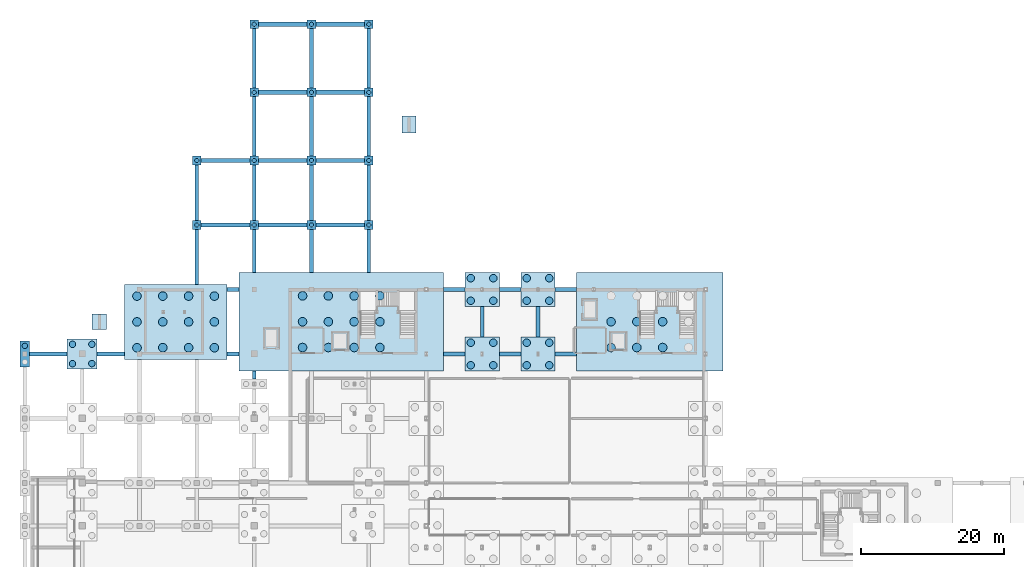
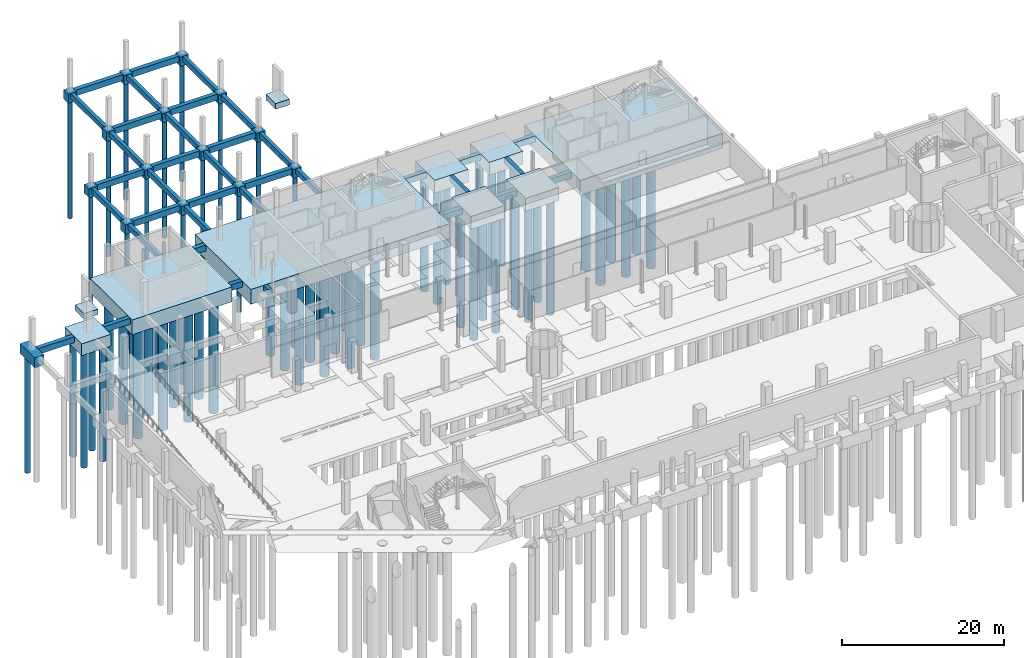
# One storey, part 5 of 32: 65 piles, 62 footings.
"""IFC4 building model written with IfcOpenShell, lengths in metres."""

from ifc_helpers import new_model, si_unit, derived_unit, direction, frame, origin, origin_2d, place, context, subcontext, project, spatial, rectangle, circle, extrude, material, material_profile, profile_set, type_object, element, save


model = new_model("IFC4")

# Units and contexts
model_context = context("Model", 3, precision=1e-05, world=origin(), true_north=direction((0.0, 1.0)))
body_context = subcontext(model_context, "Body", "Model", "MODEL_VIEW")
ifc_project = project(units=[si_unit("LENGTHUNIT", "METRE"), si_unit("AREAUNIT", "SQUARE_METRE"), si_unit("VOLUMEUNIT", "CUBIC_METRE"), si_unit("PLANEANGLEUNIT", "RADIAN"), si_unit("MASSUNIT", "GRAM", prefix="KILO"), derived_unit("THERMALTRANSMITTANCEUNIT", [(si_unit("POWERUNIT", "WATT"), 1), (si_unit("LENGTHUNIT", "METRE"), -2), (si_unit("THERMODYNAMICTEMPERATUREUNIT", "KELVIN"), -1)])], contexts=[model_context])

# Site, building, storey
site_placement = place(None, origin())
site = spatial("IfcSite", under=ifc_project, at=site_placement, CompositionType="ELEMENT")
building_placement = place(site_placement, origin())
building = spatial("IfcBuilding", under=site, at=building_placement, Name="Nallur Shell Playhouse", CompositionType="ELEMENT")
storey_placement = place(building_placement, frame((0.0, 0.0, -4.800048828125)))
storey = spatial("IfcBuildingStorey", under=building, at=storey_placement, Name="B1", CompositionType="ELEMENT", Elevation=-4.800048828125)

# Footings
ifc_material = material(Name="Concrete M35", Category="concrete")
footing_type_1 = type_object("IfcFootingType", Name="FT-PAD-04", PredefinedType="PAD_FOOTING", material=ifc_material)
footing_1_placement = place(storey_placement, frame((18.39990234375, 78.5, -0.7998046875), z_axis=(0.0, 0.0, 1.0), x_axis=(1.0, 0.0, 0.0)))
element("IfcFooting", 1, at=footing_1_placement, inside=storey, type_object=footing_type_1, Name="Ramp & forecourt pad footing PF-04", PredefinedType="PAD_FOOTING", context=body_context, shape_type="SweptSolid", body=[
    extrude(rectangle(XDim=2.0, YDim=2.199951171875, at=origin_2d()), origin(), (0.0, 0.0, 1.0), 0.800048828125),
])
footing_type_2 = type_object("IfcFootingType", Name="FT-PAD-05", PredefinedType="PAD_FOOTING", material=ifc_material)
footing_2_placement = place(storey_placement, frame((61.60009765625, 106.0, -0.85009765625), z_axis=(0.0, 0.0, 1.0), x_axis=(1.0, 0.0, 0.0)))
element("IfcFooting", 2, at=footing_2_placement, inside=storey, type_object=footing_type_2, Name="Ramp & forecourt pad footing PF-05", PredefinedType="PAD_FOOTING", context=body_context, shape_type="SweptSolid", body=[
    extrude(rectangle(XDim=2.0, YDim=2.39990234375, at=origin_2d()), origin(), (0.0, 0.0, 1.0), 0.85009765625),
])
footing_type_3 = type_object("IfcFootingType", Name="FT-PC-120x120x135", PredefinedType="PILE_CAP", material=ifc_material)
for number, where, z_axis, x_axis, name in (
    (3, (32.0, 101.0, -1.35009765625), (0.0, 0.0, 1.0), (1.0, 0.0, 0.0), "Pile cap PC-028"),
    (4, (40.0, 101.0, -1.35009765625), (0.0, 0.0, 1.0), (1.0, 0.0, 0.0), "Pile cap PC-037"),
    (5, (40.0, 120.0, -1.35009765625), (0.0, 0.0, 1.0), (1.0, 0.0, 0.0), "Pile cap PC-039"),
    (6, (48.0, 92.0, -1.35009765625), (0.0, 0.0, 1.0), (1.0, 0.0, 0.0), "Pile cap PC-044"),
    (7, (48.0, 110.5, -1.35009765625), (0.0, 0.0, 1.0), (1.0, 0.0, 0.0), "Pile cap PC-046"),
    (8, (56.0, 92.0, -1.35009765625), (0.0, 0.0, 1.0), (1.0, 0.0, 0.0), "Pile cap PC-056"),
    (9, (56.0, 110.5, -1.35009765625), (0.0, 0.0, 1.0), (1.0, 0.0, 0.0), "Pile cap PC-058"),
):
    element("IfcFooting", number, at=place(storey_placement, frame(where, z_axis=z_axis, x_axis=x_axis)), inside=storey, type_object=footing_type_3, Name=name, PredefinedType="PILE_CAP", context=body_context, shape_type="SweptSolid", body=[
        extrude(rectangle(XDim=1.199951171875, YDim=1.199951171875, at=origin_2d()), origin(), (0.0, 0.0, 1.0), 1.35009765625),
    ])
footing_type_4 = type_object("IfcFootingType", Name="FT-PC-120x120x140", PredefinedType="PILE_CAP", material=ifc_material)
for number, where, z_axis, x_axis, name in (
    (10, (32.0, 92.0, -1.39990234375), (0.0, 0.0, 1.0), (1.0, 0.0, 0.0), "Pile cap PC-027"),
    (11, (40.0, 92.0, -1.39990234375), (0.0, 0.0, 1.0), (1.0, 0.0, 0.0), "Pile cap PC-036"),
    (12, (40.0, 110.5, -1.39990234375), (0.0, 0.0, 1.0), (1.0, 0.0, 0.0), "Pile cap PC-038"),
    (13, (48.0, 101.0, -1.39990234375), (0.0, 0.0, 1.0), (1.0, 0.0, 0.0), "Pile cap PC-045"),
    (14, (48.0, 120.0, -1.39990234375), (0.0, 0.0, 1.0), (1.0, 0.0, 0.0), "Pile cap PC-047"),
    (15, (56.0, 101.0, -1.39990234375), (0.0, 0.0, 1.0), (1.0, 0.0, 0.0), "Pile cap PC-057"),
    (16, (56.0, 120.0, -1.39990234375), (0.0, 0.0, 1.0), (1.0, 0.0, 0.0), "Pile cap PC-059"),
):
    element("IfcFooting", number, at=place(storey_placement, frame(where, z_axis=z_axis, x_axis=x_axis)), inside=storey, type_object=footing_type_4, Name=name, PredefinedType="PILE_CAP", context=body_context, shape_type="SweptSolid", body=[
        extrude(rectangle(XDim=1.199951171875, YDim=1.199951171875, at=origin_2d()), origin(), (0.0, 0.0, 1.0), 1.39990234375),
    ])
footing_type_5 = type_object("IfcFootingType", Name="FT-PC-135x360x150", PredefinedType="PILE_CAP", material=ifc_material)
footing_3_placement = place(storey_placement, frame((8.0, 74.0, -1.5), z_axis=(0.0, 0.0, 1.0), x_axis=(1.0, 0.0, 0.0)))
element("IfcFooting", 17, at=footing_3_placement, inside=storey, type_object=footing_type_5, Name="Pile cap PC-009", PredefinedType="PILE_CAP", context=body_context, shape_type="SweptSolid", body=[
    extrude(rectangle(XDim=1.35009765625, YDim=3.60009765625, at=origin_2d()), origin(), (0.0, 0.0, 1.0), 1.5),
])
footing_type_6 = type_object("IfcFootingType", Name="FT-PC-1430x1045x225", PredefinedType="PILE_CAP", material=ifc_material)
footing_4_placement = place(storey_placement, frame((29.050048828125, 78.47509765625, -2.25), z_axis=(0.0, 0.0, 1.0), x_axis=(1.0, 0.0, 0.0)))
element("IfcFooting", 18, at=footing_4_placement, inside=storey, type_object=footing_type_6, Name="Pile cap PC-022", PredefinedType="PILE_CAP", context=body_context, shape_type="SweptSolid", body=[
    extrude(rectangle(XDim=14.300048828125, YDim=10.449951171875, at=origin_2d()), origin(), (0.0, 0.0, 1.0), 2.25),
])
footing_type_7 = type_object("IfcFootingType", Name="FT-PC-2040x1380x225", PredefinedType="PILE_CAP", material=ifc_material)
footing_5_placement = place(storey_placement, frame((95.199951171875, 78.5, -2.25), z_axis=(0.0, 0.0, 1.0), x_axis=(1.0, 0.0, 0.0)))
element("IfcFooting", 19, at=footing_5_placement, inside=storey, type_object=footing_type_7, Name="Pile cap PC-071", PredefinedType="PILE_CAP", context=body_context, shape_type="SweptSolid", body=[
    extrude(rectangle(XDim=20.39990234375, YDim=13.800048828125, at=origin_2d()), origin(), (0.0, 0.0, 1.0), 2.25),
])
footing_type_8 = type_object("IfcFootingType", Name="FT-PC-2850x1380x225", PredefinedType="PILE_CAP", material=ifc_material)
footing_6_placement = place(storey_placement, frame((52.14990234375, 78.5, -2.25), z_axis=(0.0, 0.0, 1.0), x_axis=(1.0, 0.0, 0.0)))
element("IfcFooting", 20, at=footing_6_placement, inside=storey, type_object=footing_type_8, Name="Pile cap PC-035", PredefinedType="PILE_CAP", context=body_context, shape_type="SweptSolid", body=[
    extrude(rectangle(XDim=28.5, YDim=13.800048828125, at=origin_2d()), origin(), (0.0, 0.0, 1.0), 2.25),
])
footing_type_9 = type_object("IfcFootingType", Name="FT-PC-420x420x180", PredefinedType="PILE_CAP", material=ifc_material)
footing_7_placement = place(storey_placement, frame((16.0, 74.0, -1.7998046875), z_axis=(0.0, 0.0, 1.0), x_axis=(1.0, 0.0, 0.0)))
element("IfcFooting", 21, at=footing_7_placement, inside=storey, type_object=footing_type_9, Name="Pile cap PC-017", PredefinedType="PILE_CAP", context=body_context, shape_type="SweptSolid", body=[
    extrude(rectangle(XDim=4.199951171875, YDim=4.199951171875, at=origin_2d()), origin(), (0.0, 0.0, 1.0), 1.800048828125),
])
footing_type_10 = type_object("IfcFootingType", Name="FT-PC-480x480x195", PredefinedType="PILE_CAP", material=ifc_material)
for number, where, z_axis, x_axis, name in (
    (22, (71.800048828125, 74.0, -1.94970703125), (0.0, 0.0, 1.0), (1.0, 0.0, 0.0), "Pile cap PC-065"),
    (23, (71.800048828125, 83.0, -1.94970703125), (0.0, 0.0, 1.0), (1.0, 0.0, 0.0), "Pile cap PC-066"),
    (24, (79.60009765625, 74.0, -1.94970703125), (0.0, 0.0, 1.0), (1.0, 0.0, 0.0), "Pile cap PC-068"),
    (25, (79.60009765625, 83.0, -1.94970703125), (0.0, 0.0, 1.0), (1.0, 0.0, 0.0), "Pile cap PC-069"),
):
    element("IfcFooting", number, at=place(storey_placement, frame(where, z_axis=z_axis, x_axis=x_axis)), inside=storey, type_object=footing_type_10, Name=name, PredefinedType="PILE_CAP", context=body_context, shape_type="SweptSolid", body=[
        extrude(rectangle(XDim=4.800048828125, YDim=4.800048828125, at=origin_2d()), origin(), (0.0, 0.0, 1.0), 1.949951171875),
    ])
ifc_material_profile_1 = material_profile(ifc_material, rectangle(XDim=0.5, YDim=0.800048828125, at=origin_2d()), Name="RC 500x800")
ifc_profile_set_1 = profile_set([ifc_material_profile_1], Name="Concrete M35")
footing_type_11 = type_object("IfcFootingType", Name="FT-TB-500x800", PredefinedType="FOOTING_BEAM", material=ifc_profile_set_1)
footing_8_placement = place(storey_placement, frame((32.0, 83.699951171875, -0.39990234375), z_axis=(0.0, 1.0, 0.0), x_axis=(-1.0, 0.0, 0.0)))
element("IfcFooting", 26, at=footing_8_placement, inside=storey, type_object=footing_type_11, Name="Ground tie beam TB-Y-105", PredefinedType="FOOTING_BEAM", context=body_context, shape_type="SweptSolid", body=[
    extrude(rectangle(XDim=0.5, YDim=0.800048828125, at=origin_2d()), origin(), (0.0, 0.0, 1.0), 7.699951171875),
])
footing_9_placement = place(storey_placement, frame((32.0, 92.60009765625, -0.39990234375), z_axis=(0.0, 1.0, 0.0), x_axis=(-1.0, 0.0, 0.0)))
element("IfcFooting", 27, at=footing_9_placement, inside=storey, type_object=footing_type_11, Name="Ground tie beam TB-Y-106", PredefinedType="FOOTING_BEAM", context=body_context, shape_type="SweptSolid", body=[
    extrude(rectangle(XDim=0.5, YDim=0.800048828125, at=origin_2d()), origin(), (0.0, 0.0, 1.0), 7.7998046875),
])
footing_10_placement = place(storey_placement, frame((40.0, 70.47509765625, -0.39990234375), z_axis=(0.0, 1.0, 0.0), x_axis=(-1.0, 0.0, 0.0)))
element("IfcFooting", 28, at=footing_10_placement, inside=storey, type_object=footing_type_11, Name="Ground tie beam TB-Y-114", PredefinedType="FOOTING_BEAM", context=body_context, shape_type="SweptSolid", body=[
    extrude(rectangle(XDim=0.5, YDim=0.800048828125, at=origin_2d()), origin(), (0.0, 0.0, 1.0), 1.125),
])
footing_11_placement = place(storey_placement, frame((40.0, 85.39990234375, -0.39990234375), z_axis=(0.0, 1.0, 0.0), x_axis=(-1.0, 0.0, 0.0)))
element("IfcFooting", 29, at=footing_11_placement, inside=storey, type_object=footing_type_11, Name="Ground tie beam TB-Y-115", PredefinedType="FOOTING_BEAM", context=body_context, shape_type="SweptSolid", body=[
    extrude(rectangle(XDim=0.5, YDim=0.800048828125, at=origin_2d()), origin(), (0.0, 0.0, 1.0), 6.0),
])
footing_12_placement = place(storey_placement, frame((40.0, 92.60009765625, -0.39990234375), z_axis=(0.0, 1.0, 0.0), x_axis=(-1.0, 0.0, 0.0)))
element("IfcFooting", 30, at=footing_12_placement, inside=storey, type_object=footing_type_11, Name="Ground tie beam TB-Y-116", PredefinedType="FOOTING_BEAM", context=body_context, shape_type="SweptSolid", body=[
    extrude(rectangle(XDim=0.5, YDim=0.800048828125, at=origin_2d()), origin(), (0.0, 0.0, 1.0), 7.7998046875),
])
for number, where, z_axis, x_axis, name in (
    (31, (40.0, 101.60009765625, -0.39990234375), (0.0, 1.0, 0.0), (-1.0, 0.0, 0.0), "Ground tie beam TB-Y-117"),
    (32, (40.0, 111.10009765625, -0.39990234375), (0.0, 1.0, 0.0), (-1.0, 0.0, 0.0), "Ground tie beam TB-Y-118"),
):
    element("IfcFooting", number, at=place(storey_placement, frame(where, z_axis=z_axis, x_axis=x_axis)), inside=storey, type_object=footing_type_11, Name=name, PredefinedType="FOOTING_BEAM", context=body_context, shape_type="SweptSolid", body=[
        extrude(rectangle(XDim=0.5, YDim=0.800048828125, at=origin_2d()), origin(), (0.0, 0.0, 1.0), 8.2998046875),
    ])
footing_13_placement = place(storey_placement, frame((48.0, 85.39990234375, -0.39990234375), z_axis=(0.0, 1.0, 0.0), x_axis=(-1.0, 0.0, 0.0)))
element("IfcFooting", 33, at=footing_13_placement, inside=storey, type_object=footing_type_11, Name="Ground tie beam TB-Y-121", PredefinedType="FOOTING_BEAM", context=body_context, shape_type="SweptSolid", body=[
    extrude(rectangle(XDim=0.5, YDim=0.800048828125, at=origin_2d()), origin(), (0.0, 0.0, 1.0), 6.0),
])
footing_14_placement = place(storey_placement, frame((48.0, 92.60009765625, -0.39990234375), z_axis=(0.0, 1.0, 0.0), x_axis=(-1.0, 0.0, 0.0)))
element("IfcFooting", 34, at=footing_14_placement, inside=storey, type_object=footing_type_11, Name="Ground tie beam TB-Y-122", PredefinedType="FOOTING_BEAM", context=body_context, shape_type="SweptSolid", body=[
    extrude(rectangle(XDim=0.5, YDim=0.800048828125, at=origin_2d()), origin(), (0.0, 0.0, 1.0), 7.7998046875),
])
for number, where, z_axis, x_axis, name in (
    (35, (48.0, 101.60009765625, -0.39990234375), (0.0, 1.0, 0.0), (-1.0, 0.0, 0.0), "Ground tie beam TB-Y-123"),
    (36, (48.0, 111.10009765625, -0.39990234375), (0.0, 1.0, 0.0), (-1.0, 0.0, 0.0), "Ground tie beam TB-Y-124"),
):
    element("IfcFooting", number, at=place(storey_placement, frame(where, z_axis=z_axis, x_axis=x_axis)), inside=storey, type_object=footing_type_11, Name=name, PredefinedType="FOOTING_BEAM", context=body_context, shape_type="SweptSolid", body=[
        extrude(rectangle(XDim=0.5, YDim=0.800048828125, at=origin_2d()), origin(), (0.0, 0.0, 1.0), 8.2998046875),
    ])
footing_15_placement = place(storey_placement, frame((56.0, 85.39990234375, -0.39990234375), z_axis=(0.0, 1.0, 0.0), x_axis=(-1.0, 0.0, 0.0)))
element("IfcFooting", 37, at=footing_15_placement, inside=storey, type_object=footing_type_11, Name="Ground tie beam TB-Y-133", PredefinedType="FOOTING_BEAM", context=body_context, shape_type="SweptSolid", body=[
    extrude(rectangle(XDim=0.5, YDim=0.800048828125, at=origin_2d()), origin(), (0.0, 0.0, 1.0), 6.0),
])
footing_16_placement = place(storey_placement, frame((56.0, 92.60009765625, -0.39990234375), z_axis=(0.0, 1.0, 0.0), x_axis=(-1.0, 0.0, 0.0)))
element("IfcFooting", 38, at=footing_16_placement, inside=storey, type_object=footing_type_11, Name="Ground tie beam TB-Y-134", PredefinedType="FOOTING_BEAM", context=body_context, shape_type="SweptSolid", body=[
    extrude(rectangle(XDim=0.5, YDim=0.800048828125, at=origin_2d()), origin(), (0.0, 0.0, 1.0), 7.7998046875),
])
for number, where, z_axis, x_axis, name in (
    (39, (56.0, 101.60009765625, -0.39990234375), (0.0, 1.0, 0.0), (-1.0, 0.0, 0.0), "Ground tie beam TB-Y-135"),
    (40, (56.0, 111.10009765625, -0.39990234375), (0.0, 1.0, 0.0), (-1.0, 0.0, 0.0), "Ground tie beam TB-Y-136"),
):
    element("IfcFooting", number, at=place(storey_placement, frame(where, z_axis=z_axis, x_axis=x_axis)), inside=storey, type_object=footing_type_11, Name=name, PredefinedType="FOOTING_BEAM", context=body_context, shape_type="SweptSolid", body=[
        extrude(rectangle(XDim=0.5, YDim=0.800048828125, at=origin_2d()), origin(), (0.0, 0.0, 1.0), 8.2998046875),
    ])
for number, where, z_axis, x_axis, name in (
    (41, (71.800048828125, 76.39990234375, -0.39990234375), (0.0, 1.0, 0.0), (-1.0, 0.0, 0.0), "Ground tie beam TB-Y-142"),
    (42, (79.60009765625, 76.39990234375, -0.39990234375), (0.0, 1.0, 0.0), (-1.0, 0.0, 0.0), "Ground tie beam TB-Y-145"),
):
    element("IfcFooting", number, at=place(storey_placement, frame(where, z_axis=z_axis, x_axis=x_axis)), inside=storey, type_object=footing_type_11, Name=name, PredefinedType="FOOTING_BEAM", context=body_context, shape_type="SweptSolid", body=[
        extrude(rectangle(XDim=0.5, YDim=0.800048828125, at=origin_2d()), origin(), (0.0, 0.0, 1.0), 4.2001953125),
    ])
ifc_material_profile_2 = material_profile(ifc_material, rectangle(XDim=0.60009765625, YDim=0.89990234375, at=origin_2d()), Name="RC 600x900")
ifc_profile_set_2 = profile_set([ifc_material_profile_2], Name="Concrete M35")
footing_type_12 = type_object("IfcFootingType", Name="FT-TB-600x900", PredefinedType="FOOTING_BEAM", material=ifc_profile_set_2)
footing_17_placement = place(storey_placement, frame((8.675048828125, 74.0, -0.449951171875), z_axis=(1.0, 0.0, 0.0), x_axis=(0.0, 1.0, 0.0)))
element("IfcFooting", 43, at=footing_17_placement, inside=storey, type_object=footing_type_12, Name="Ground tie beam TB-X-062", PredefinedType="FOOTING_BEAM", context=body_context, shape_type="SweptSolid", body=[
    extrude(rectangle(XDim=0.60009765625, YDim=0.89990234375, at=origin_2d()), origin(), (0.0, 0.0, 1.0), 5.224853515625),
])
footing_18_placement = place(storey_placement, frame((18.10009765625, 74.0, -0.449951171875), z_axis=(1.0, 0.0, 0.0), x_axis=(0.0, 1.0, 0.0)))
element("IfcFooting", 44, at=footing_18_placement, inside=storey, type_object=footing_type_12, Name="Ground tie beam TB-X-063", PredefinedType="FOOTING_BEAM", context=body_context, shape_type="SweptSolid", body=[
    extrude(rectangle(XDim=0.60009765625, YDim=0.89990234375, at=origin_2d()), origin(), (0.0, 0.0, 1.0), 3.7998046875),
])
footing_19_placement = place(storey_placement, frame((36.199951171875, 74.0, -0.449951171875), z_axis=(1.0, 0.0, 0.0), x_axis=(0.0, 1.0, 0.0)))
element("IfcFooting", 45, at=footing_19_placement, inside=storey, type_object=footing_type_12, Name="Ground tie beam TB-X-064", PredefinedType="FOOTING_BEAM", context=body_context, shape_type="SweptSolid", body=[
    extrude(rectangle(XDim=0.60009765625, YDim=0.89990234375, at=origin_2d()), origin(), (0.0, 0.0, 1.0), 1.699951171875),
])
for number, where, z_axis, x_axis, name in (
    (46, (66.39990234375, 74.0, -0.449951171875), (1.0, 0.0, 0.0), (0.0, 1.0, 0.0), "Ground tie beam TB-X-065"),
    (47, (74.199951171875, 74.0, -0.449951171875), (1.0, 0.0, 0.0), (0.0, 1.0, 0.0), "Ground tie beam TB-X-066"),
    (48, (82.0, 74.0, -0.449951171875), (1.0, 0.0, 0.0), (0.0, 1.0, 0.0), "Ground tie beam TB-X-067"),
):
    element("IfcFooting", number, at=place(storey_placement, frame(where, z_axis=z_axis, x_axis=x_axis)), inside=storey, type_object=footing_type_12, Name=name, PredefinedType="FOOTING_BEAM", context=body_context, shape_type="SweptSolid", body=[
        extrude(rectangle(XDim=0.60009765625, YDim=0.89990234375, at=origin_2d()), origin(), (0.0, 0.0, 1.0), 3.0),
    ])
footing_20_placement = place(storey_placement, frame((36.199951171875, 83.0, -0.449951171875), z_axis=(1.0, 0.0, 0.0), x_axis=(0.0, 1.0, 0.0)))
element("IfcFooting", 49, at=footing_20_placement, inside=storey, type_object=footing_type_12, Name="Ground tie beam TB-X-068", PredefinedType="FOOTING_BEAM", context=body_context, shape_type="SweptSolid", body=[
    extrude(rectangle(XDim=0.60009765625, YDim=0.89990234375, at=origin_2d()), origin(), (0.0, 0.0, 1.0), 1.699951171875),
])
for number, where, z_axis, x_axis, name in (
    (50, (66.39990234375, 83.0, -0.449951171875), (1.0, 0.0, 0.0), (0.0, 1.0, 0.0), "Ground tie beam TB-X-069"),
    (51, (74.199951171875, 83.0, -0.449951171875), (1.0, 0.0, 0.0), (0.0, 1.0, 0.0), "Ground tie beam TB-X-070"),
    (52, (82.0, 83.0, -0.449951171875), (1.0, 0.0, 0.0), (0.0, 1.0, 0.0), "Ground tie beam TB-X-071"),
):
    element("IfcFooting", number, at=place(storey_placement, frame(where, z_axis=z_axis, x_axis=x_axis)), inside=storey, type_object=footing_type_12, Name=name, PredefinedType="FOOTING_BEAM", context=body_context, shape_type="SweptSolid", body=[
        extrude(rectangle(XDim=0.60009765625, YDim=0.89990234375, at=origin_2d()), origin(), (0.0, 0.0, 1.0), 3.0),
    ])
for number, where, z_axis, x_axis, name in (
    (53, (32.60009765625, 92.0, -0.449951171875), (1.0, 0.0, 0.0), (0.0, 1.0, 0.0), "Ground tie beam TB-X-072"),
    (54, (40.60009765625, 92.0, -0.449951171875), (1.0, 0.0, 0.0), (0.0, 1.0, 0.0), "Ground tie beam TB-X-073"),
    (55, (48.60009765625, 92.0, -0.449951171875), (1.0, 0.0, 0.0), (0.0, 1.0, 0.0), "Ground tie beam TB-X-074"),
    (56, (32.60009765625, 101.0, -0.449951171875), (1.0, 0.0, 0.0), (0.0, 1.0, 0.0), "Ground tie beam TB-X-075"),
    (57, (40.60009765625, 101.0, -0.449951171875), (1.0, 0.0, 0.0), (0.0, 1.0, 0.0), "Ground tie beam TB-X-076"),
    (58, (48.60009765625, 101.0, -0.449951171875), (1.0, 0.0, 0.0), (0.0, 1.0, 0.0), "Ground tie beam TB-X-077"),
    (59, (40.60009765625, 110.5, -0.449951171875), (1.0, 0.0, 0.0), (0.0, 1.0, 0.0), "Ground tie beam TB-X-078"),
    (60, (48.60009765625, 110.5, -0.449951171875), (1.0, 0.0, 0.0), (0.0, 1.0, 0.0), "Ground tie beam TB-X-079"),
    (61, (40.60009765625, 120.0, -0.449951171875), (1.0, 0.0, 0.0), (0.0, 1.0, 0.0), "Ground tie beam TB-X-080"),
    (62, (48.60009765625, 120.0, -0.449951171875), (1.0, 0.0, 0.0), (0.0, 1.0, 0.0), "Ground tie beam TB-X-081"),
):
    element("IfcFooting", number, at=place(storey_placement, frame(where, z_axis=z_axis, x_axis=x_axis)), inside=storey, type_object=footing_type_12, Name=name, PredefinedType="FOOTING_BEAM", context=body_context, shape_type="SweptSolid", body=[
        extrude(rectangle(XDim=0.60009765625, YDim=0.89990234375, at=origin_2d()), origin(), (0.0, 0.0, 1.0), 6.7998046875),
    ])

# Piles
ifc_material_profile_3 = material_profile(ifc_material, circle(Radius=0.52490234375, at=origin_2d()), Name="BORED PILE D1050")
ifc_profile_set_3 = profile_set([ifc_material_profile_3], Name="Concrete M35")
pile_type_1 = type_object("IfcPileType", Name="PL-D1050", PredefinedType="BORED", material=ifc_profile_set_3)
for number, where, z_axis, x_axis, name in (
    (63, (70.22509765625, 72.425048828125, -1.849853515625), (0.0, 0.0, -1.0), (1.0, 0.0, 0.0), "Bored pile BP-183"),
    (64, (70.22509765625, 75.574951171875, -1.849853515625), (0.0, 0.0, -1.0), (1.0, 0.0, 0.0), "Bored pile BP-184"),
    (65, (73.375, 72.425048828125, -1.849853515625), (0.0, 0.0, -1.0), (1.0, 0.0, 0.0), "Bored pile BP-185"),
    (66, (73.375, 75.574951171875, -1.849853515625), (0.0, 0.0, -1.0), (1.0, 0.0, 0.0), "Bored pile BP-186"),
    (67, (70.22509765625, 81.425048828125, -1.849853515625), (0.0, 0.0, -1.0), (1.0, 0.0, 0.0), "Bored pile BP-187"),
    (68, (70.22509765625, 84.574951171875, -1.849853515625), (0.0, 0.0, -1.0), (1.0, 0.0, 0.0), "Bored pile BP-188"),
    (69, (73.375, 81.425048828125, -1.849853515625), (0.0, 0.0, -1.0), (1.0, 0.0, 0.0), "Bored pile BP-189"),
    (70, (73.375, 84.574951171875, -1.849853515625), (0.0, 0.0, -1.0), (1.0, 0.0, 0.0), "Bored pile BP-190"),
    (71, (78.02490234375, 72.425048828125, -1.849853515625), (0.0, 0.0, -1.0), (1.0, 0.0, 0.0), "Bored pile BP-193"),
    (72, (78.02490234375, 75.574951171875, -1.849853515625), (0.0, 0.0, -1.0), (1.0, 0.0, 0.0), "Bored pile BP-194"),
    (73, (81.175048828125, 72.425048828125, -1.849853515625), (0.0, 0.0, -1.0), (1.0, 0.0, 0.0), "Bored pile BP-195"),
    (74, (81.175048828125, 75.574951171875, -1.849853515625), (0.0, 0.0, -1.0), (1.0, 0.0, 0.0), "Bored pile BP-196"),
    (75, (78.02490234375, 81.425048828125, -1.849853515625), (0.0, 0.0, -1.0), (1.0, 0.0, 0.0), "Bored pile BP-197"),
    (76, (78.02490234375, 84.574951171875, -1.849853515625), (0.0, 0.0, -1.0), (1.0, 0.0, 0.0), "Bored pile BP-198"),
    (77, (81.175048828125, 81.425048828125, -1.849853515625), (0.0, 0.0, -1.0), (1.0, 0.0, 0.0), "Bored pile BP-199"),
    (78, (81.175048828125, 84.574951171875, -1.849853515625), (0.0, 0.0, -1.0), (1.0, 0.0, 0.0), "Bored pile BP-200"),
):
    element("IfcPile", number, at=place(storey_placement, frame(where, z_axis=z_axis, x_axis=x_axis)), inside=storey, type_object=pile_type_1, Name=name, PredefinedType="BORED", context=body_context, shape_type="SweptSolid", body=[
        extrude(circle(Radius=0.52490234375, at=origin_2d()), origin(), (0.0, 0.0, 1.0), 17.35009765625),
    ])
ifc_material_profile_4 = material_profile(ifc_material, circle(Radius=0.60009765625, at=origin_2d()), Name="BORED PILE D1200")
ifc_profile_set_4 = profile_set([ifc_material_profile_4], Name="Concrete M35")
pile_type_2 = type_object("IfcPileType", Name="PL-D1200", PredefinedType="BORED", material=ifc_profile_set_4)
for number, where, z_axis, x_axis, name in (
    (79, (23.64990234375, 74.875, -2.14990234375), (0.0, 0.0, -1.0), (1.0, 0.0, 0.0), "Bored pile BP-065"),
    (80, (23.64990234375, 78.47509765625, -2.14990234375), (0.0, 0.0, -1.0), (1.0, 0.0, 0.0), "Bored pile BP-066"),
    (81, (23.64990234375, 82.074951171875, -2.14990234375), (0.0, 0.0, -1.0), (1.0, 0.0, 0.0), "Bored pile BP-067"),
    (82, (27.25, 74.875, -2.14990234375), (0.0, 0.0, -1.0), (1.0, 0.0, 0.0), "Bored pile BP-068"),
    (83, (27.25, 78.47509765625, -2.14990234375), (0.0, 0.0, -1.0), (1.0, 0.0, 0.0), "Bored pile BP-069"),
    (84, (27.25, 82.074951171875, -2.14990234375), (0.0, 0.0, -1.0), (1.0, 0.0, 0.0), "Bored pile BP-070"),
    (85, (30.85009765625, 74.875, -2.14990234375), (0.0, 0.0, -1.0), (1.0, 0.0, 0.0), "Bored pile BP-071"),
    (86, (30.85009765625, 78.47509765625, -2.14990234375), (0.0, 0.0, -1.0), (1.0, 0.0, 0.0), "Bored pile BP-072"),
    (87, (30.85009765625, 82.074951171875, -2.14990234375), (0.0, 0.0, -1.0), (1.0, 0.0, 0.0), "Bored pile BP-073"),
    (88, (34.449951171875, 74.875, -2.14990234375), (0.0, 0.0, -1.0), (1.0, 0.0, 0.0), "Bored pile BP-074"),
    (89, (34.449951171875, 78.47509765625, -2.14990234375), (0.0, 0.0, -1.0), (1.0, 0.0, 0.0), "Bored pile BP-075"),
    (90, (34.449951171875, 82.074951171875, -2.14990234375), (0.0, 0.0, -1.0), (1.0, 0.0, 0.0), "Bored pile BP-076"),
    (91, (46.75, 74.89990234375, -2.14990234375), (0.0, 0.0, -1.0), (1.0, 0.0, 0.0), "Bored pile BP-109"),
    (92, (46.75, 78.5, -2.14990234375), (0.0, 0.0, -1.0), (1.0, 0.0, 0.0), "Bored pile BP-110"),
    (93, (46.75, 82.10009765625, -2.14990234375), (0.0, 0.0, -1.0), (1.0, 0.0, 0.0), "Bored pile BP-111"),
    (94, (50.35009765625, 74.89990234375, -2.14990234375), (0.0, 0.0, -1.0), (1.0, 0.0, 0.0), "Bored pile BP-112"),
    (95, (50.35009765625, 78.5, -2.14990234375), (0.0, 0.0, -1.0), (1.0, 0.0, 0.0), "Bored pile BP-113"),
    (96, (50.35009765625, 82.10009765625, -2.14990234375), (0.0, 0.0, -1.0), (1.0, 0.0, 0.0), "Bored pile BP-114"),
    (97, (53.949951171875, 74.89990234375, -2.14990234375), (0.0, 0.0, -1.0), (1.0, 0.0, 0.0), "Bored pile BP-115"),
    (98, (53.949951171875, 78.5, -2.14990234375), (0.0, 0.0, -1.0), (1.0, 0.0, 0.0), "Bored pile BP-116"),
    (99, (53.949951171875, 82.10009765625, -2.14990234375), (0.0, 0.0, -1.0), (1.0, 0.0, 0.0), "Bored pile BP-117"),
    (100, (57.550048828125, 74.89990234375, -2.14990234375), (0.0, 0.0, -1.0), (1.0, 0.0, 0.0), "Bored pile BP-118"),
    (101, (57.550048828125, 78.5, -2.14990234375), (0.0, 0.0, -1.0), (1.0, 0.0, 0.0), "Bored pile BP-119"),
    (102, (57.550048828125, 82.10009765625, -2.14990234375), (0.0, 0.0, -1.0), (1.0, 0.0, 0.0), "Bored pile BP-120"),
    (103, (89.800048828125, 74.89990234375, -2.14990234375), (0.0, 0.0, -1.0), (1.0, 0.0, 0.0), "Bored pile BP-203"),
    (104, (89.800048828125, 78.5, -2.14990234375), (0.0, 0.0, -1.0), (1.0, 0.0, 0.0), "Bored pile BP-204"),
    (105, (93.39990234375, 74.89990234375, -2.14990234375), (0.0, 0.0, -1.0), (1.0, 0.0, 0.0), "Bored pile BP-206"),
    (106, (93.39990234375, 78.5, -2.14990234375), (0.0, 0.0, -1.0), (1.0, 0.0, 0.0), "Bored pile BP-207"),
    (107, (97.0, 74.89990234375, -2.14990234375), (0.0, 0.0, -1.0), (1.0, 0.0, 0.0), "Bored pile BP-209"),
    (108, (97.0, 78.5, -2.14990234375), (0.0, 0.0, -1.0), (1.0, 0.0, 0.0), "Bored pile BP-210"),
):
    element("IfcPile", number, at=place(storey_placement, frame(where, z_axis=z_axis, x_axis=x_axis)), inside=storey, type_object=pile_type_2, Name=name, PredefinedType="BORED", context=body_context, shape_type="SweptSolid", body=[
        extrude(circle(Radius=0.60009765625, at=origin_2d()), origin(), (0.0, 0.0, 1.0), 17.050048828125),
    ])
ifc_material_profile_5 = material_profile(ifc_material, circle(Radius=0.300048828125, at=origin_2d()), Name="BORED PILE D600")
ifc_profile_set_5 = profile_set([ifc_material_profile_5], Name="Concrete M35")
pile_type_3 = type_object("IfcPileType", Name="PL-D600", PredefinedType="BORED", material=ifc_profile_set_5)
pile_1_placement = place(storey_placement, frame((32.0, 92.0, -1.300048828125), z_axis=(0.0, 0.0, -1.0), x_axis=(1.0, 0.0, 0.0)))
element("IfcPile", 109, at=pile_1_placement, inside=storey, type_object=pile_type_3, Name="Bored pile BP-085", PredefinedType="BORED", context=body_context, shape_type="SweptSolid", body=[
    extrude(circle(Radius=0.300048828125, at=origin_2d()), origin(), (0.0, 0.0, 1.0), 17.89990234375),
])
pile_2_placement = place(storey_placement, frame((32.0, 101.0, -1.25), z_axis=(0.0, 0.0, -1.0), x_axis=(1.0, 0.0, 0.0)))
element("IfcPile", 110, at=pile_2_placement, inside=storey, type_object=pile_type_3, Name="Bored pile BP-086", PredefinedType="BORED", context=body_context, shape_type="SweptSolid", body=[
    extrude(circle(Radius=0.300048828125, at=origin_2d()), origin(), (0.0, 0.0, 1.0), 17.949951171875),
])
pile_3_placement = place(storey_placement, frame((40.0, 92.0, -1.300048828125), z_axis=(0.0, 0.0, -1.0), x_axis=(1.0, 0.0, 0.0)))
element("IfcPile", 111, at=pile_3_placement, inside=storey, type_object=pile_type_3, Name="Bored pile BP-121", PredefinedType="BORED", context=body_context, shape_type="SweptSolid", body=[
    extrude(circle(Radius=0.300048828125, at=origin_2d()), origin(), (0.0, 0.0, 1.0), 17.89990234375),
])
pile_4_placement = place(storey_placement, frame((40.0, 101.0, -1.25), z_axis=(0.0, 0.0, -1.0), x_axis=(1.0, 0.0, 0.0)))
element("IfcPile", 112, at=pile_4_placement, inside=storey, type_object=pile_type_3, Name="Bored pile BP-122", PredefinedType="BORED", context=body_context, shape_type="SweptSolid", body=[
    extrude(circle(Radius=0.300048828125, at=origin_2d()), origin(), (0.0, 0.0, 1.0), 17.949951171875),
])
pile_5_placement = place(storey_placement, frame((40.0, 110.5, -1.300048828125), z_axis=(0.0, 0.0, -1.0), x_axis=(1.0, 0.0, 0.0)))
element("IfcPile", 113, at=pile_5_placement, inside=storey, type_object=pile_type_3, Name="Bored pile BP-123", PredefinedType="BORED", context=body_context, shape_type="SweptSolid", body=[
    extrude(circle(Radius=0.300048828125, at=origin_2d()), origin(), (0.0, 0.0, 1.0), 17.89990234375),
])
for number, where, z_axis, x_axis, name in (
    (114, (40.0, 120.0, -1.25), (0.0, 0.0, -1.0), (1.0, 0.0, 0.0), "Bored pile BP-124"),
    (115, (48.0, 92.0, -1.25), (0.0, 0.0, -1.0), (1.0, 0.0, 0.0), "Bored pile BP-133"),
):
    element("IfcPile", number, at=place(storey_placement, frame(where, z_axis=z_axis, x_axis=x_axis)), inside=storey, type_object=pile_type_3, Name=name, PredefinedType="BORED", context=body_context, shape_type="SweptSolid", body=[
        extrude(circle(Radius=0.300048828125, at=origin_2d()), origin(), (0.0, 0.0, 1.0), 17.949951171875),
    ])
pile_6_placement = place(storey_placement, frame((48.0, 101.0, -1.300048828125), z_axis=(0.0, 0.0, -1.0), x_axis=(1.0, 0.0, 0.0)))
element("IfcPile", 116, at=pile_6_placement, inside=storey, type_object=pile_type_3, Name="Bored pile BP-134", PredefinedType="BORED", context=body_context, shape_type="SweptSolid", body=[
    extrude(circle(Radius=0.300048828125, at=origin_2d()), origin(), (0.0, 0.0, 1.0), 17.89990234375),
])
pile_7_placement = place(storey_placement, frame((48.0, 110.5, -1.25), z_axis=(0.0, 0.0, -1.0), x_axis=(1.0, 0.0, 0.0)))
element("IfcPile", 117, at=pile_7_placement, inside=storey, type_object=pile_type_3, Name="Bored pile BP-135", PredefinedType="BORED", context=body_context, shape_type="SweptSolid", body=[
    extrude(circle(Radius=0.300048828125, at=origin_2d()), origin(), (0.0, 0.0, 1.0), 17.949951171875),
])
pile_8_placement = place(storey_placement, frame((48.0, 120.0, -1.300048828125), z_axis=(0.0, 0.0, -1.0), x_axis=(1.0, 0.0, 0.0)))
element("IfcPile", 118, at=pile_8_placement, inside=storey, type_object=pile_type_3, Name="Bored pile BP-136", PredefinedType="BORED", context=body_context, shape_type="SweptSolid", body=[
    extrude(circle(Radius=0.300048828125, at=origin_2d()), origin(), (0.0, 0.0, 1.0), 17.89990234375),
])
pile_9_placement = place(storey_placement, frame((56.0, 92.0, -1.25), z_axis=(0.0, 0.0, -1.0), x_axis=(1.0, 0.0, 0.0)))
element("IfcPile", 119, at=pile_9_placement, inside=storey, type_object=pile_type_3, Name="Bored pile BP-163", PredefinedType="BORED", context=body_context, shape_type="SweptSolid", body=[
    extrude(circle(Radius=0.300048828125, at=origin_2d()), origin(), (0.0, 0.0, 1.0), 17.949951171875),
])
pile_10_placement = place(storey_placement, frame((56.0, 101.0, -1.300048828125), z_axis=(0.0, 0.0, -1.0), x_axis=(1.0, 0.0, 0.0)))
element("IfcPile", 120, at=pile_10_placement, inside=storey, type_object=pile_type_3, Name="Bored pile BP-164", PredefinedType="BORED", context=body_context, shape_type="SweptSolid", body=[
    extrude(circle(Radius=0.300048828125, at=origin_2d()), origin(), (0.0, 0.0, 1.0), 17.89990234375),
])
pile_11_placement = place(storey_placement, frame((56.0, 110.5, -1.25), z_axis=(0.0, 0.0, -1.0), x_axis=(1.0, 0.0, 0.0)))
element("IfcPile", 121, at=pile_11_placement, inside=storey, type_object=pile_type_3, Name="Bored pile BP-165", PredefinedType="BORED", context=body_context, shape_type="SweptSolid", body=[
    extrude(circle(Radius=0.300048828125, at=origin_2d()), origin(), (0.0, 0.0, 1.0), 17.949951171875),
])
pile_12_placement = place(storey_placement, frame((56.0, 120.0, -1.300048828125), z_axis=(0.0, 0.0, -1.0), x_axis=(1.0, 0.0, 0.0)))
element("IfcPile", 122, at=pile_12_placement, inside=storey, type_object=pile_type_3, Name="Bored pile BP-166", PredefinedType="BORED", context=body_context, shape_type="SweptSolid", body=[
    extrude(circle(Radius=0.300048828125, at=origin_2d()), origin(), (0.0, 0.0, 1.0), 17.89990234375),
])
ifc_material_profile_6 = material_profile(ifc_material, circle(Radius=0.375, at=origin_2d()), Name="BORED PILE D750")
ifc_profile_set_6 = profile_set([ifc_material_profile_6], Name="Concrete M35")
pile_type_4 = type_object("IfcPileType", Name="PL-D750", PredefinedType="BORED", material=ifc_profile_set_6)
pile_13_placement = place(storey_placement, frame((8.0, 75.125, -1.39990234375), z_axis=(0.0, 0.0, -1.0), x_axis=(1.0, 0.0, 0.0)))
element("IfcPile", 123, at=pile_13_placement, inside=storey, type_object=pile_type_4, Name="Bored pile BP-018", PredefinedType="BORED", context=body_context, shape_type="SweptSolid", body=[
    extrude(circle(Radius=0.375, at=origin_2d()), origin(), (0.0, 0.0, 1.0), 17.800048828125),
])
ifc_material_profile_7 = material_profile(ifc_material, circle(Radius=0.449951171875, at=origin_2d()), Name="BORED PILE D900")
ifc_profile_set_7 = profile_set([ifc_material_profile_7], Name="Concrete M35")
pile_type_5 = type_object("IfcPileType", Name="PL-D900", PredefinedType="BORED", material=ifc_profile_set_7)
for number, where, z_axis, x_axis, name in (
    (124, (14.64990234375, 72.64990234375, -1.699951171875), (0.0, 0.0, -1.0), (1.0, 0.0, 0.0), "Bored pile BP-053"),
    (125, (14.64990234375, 75.35009765625, -1.699951171875), (0.0, 0.0, -1.0), (1.0, 0.0, 0.0), "Bored pile BP-054"),
    (126, (17.35009765625, 72.64990234375, -1.699951171875), (0.0, 0.0, -1.0), (1.0, 0.0, 0.0), "Bored pile BP-055"),
    (127, (17.35009765625, 75.35009765625, -1.699951171875), (0.0, 0.0, -1.0), (1.0, 0.0, 0.0), "Bored pile BP-056"),
):
    element("IfcPile", number, at=place(storey_placement, frame(where, z_axis=z_axis, x_axis=x_axis)), inside=storey, type_object=pile_type_5, Name=name, PredefinedType="BORED", context=body_context, shape_type="SweptSolid", body=[
        extrude(circle(Radius=0.449951171875, at=origin_2d()), origin(), (0.0, 0.0, 1.0), 17.5),
    ])

save(model, "model.ifc")
